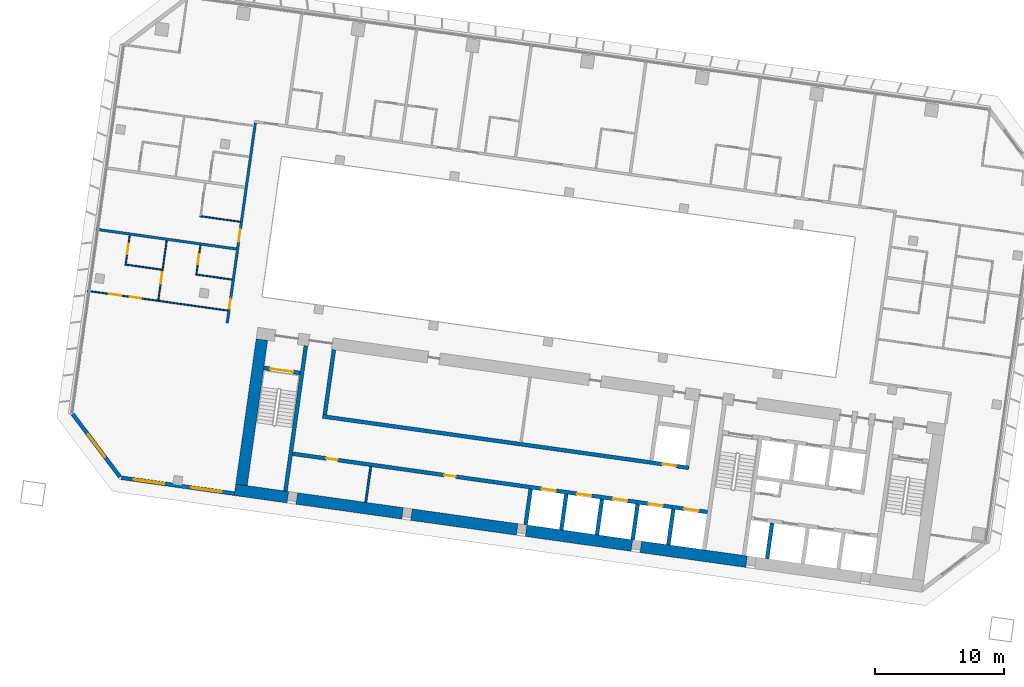
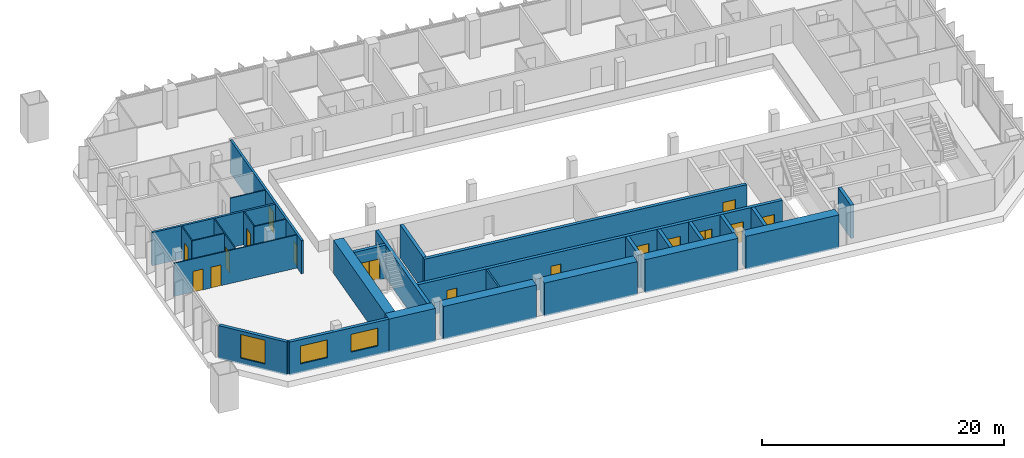
# One storey, part 14 of 25: 29 walls, 16 doors, 3 windows, 19 openings.
"""IFC4 building model written with IfcOpenShell, lengths in metres."""

import ifcopenshell
import ifcopenshell.guid

model = None  # the IFC model being written
_history = None  # IfcOwnerHistory: only IFC2X3 demands one
_inside = {}  # id of a spatial element -> (the spatial element, [elements in it])
_under = {}  # id of a project, library or spatial element -> (it, [spatial elements below it])
_declared = {}  # id of a project -> (the project, [libraries it declares])
_typed = {}  # id of a type object -> (the type object, [elements of that type])
_made_of = {}  # id of a material, layer set ... -> (it, [elements and type objects made of it])


def new_model(schema):
    """Start an empty IFC model of exactly this schema.

    Asked for "IFC4X3", IfcOpenShell would pick the latest addendum, in which some entities
    have other attributes; the version numbers below select the first issue.
    IFC2X3 requires an IfcOwnerHistory on every rooted entity: one is made here for all.
    """
    global model, _history
    if schema == "IFC4X3":
        model = ifcopenshell.file(schema_version=(4, 3, 0, 0))
    else:
        model = ifcopenshell.file(schema=schema)
    _inside.clear()
    _under.clear()
    _declared.clear()
    _typed.clear()
    _made_of.clear()
    _history = None
    if model.schema == "IFC2X3":
        org = make("IfcOrganization", Name="unknown")
        user = make(
            "IfcPersonAndOrganization",
            ThePerson=make("IfcPerson", FamilyName="unknown"),
            TheOrganization=org,
        )
        app = make(
            "IfcApplication",
            ApplicationDeveloper=org,
            Version="unknown",
            ApplicationFullName="unknown",
            ApplicationIdentifier="unknown",
        )
        _history = make(
            "IfcOwnerHistory",
            OwningUser=user,
            OwningApplication=app,
            ChangeAction="ADDED",
            CreationDate=0,
        )
    return model


def make(cls, **values):
    """One entity of the class cls with the attributes given. An attribute that is None is left unset."""
    return model.create_entity(
        cls, **{name: value for name, value in values.items() if value is not None}
    )


def rooted(cls, **values):
    """An entity with a GlobalId (a new one), such as an element, a storey or a relation."""
    return make(cls, GlobalId=ifcopenshell.guid.new(), OwnerHistory=_history, **values)


def si_unit(unit_type, name, prefix=None):
    """IfcSIUnit, for example si_unit("LENGTHUNIT", "METRE", prefix="MILLI")."""
    return make("IfcSIUnit", UnitType=unit_type, Prefix=prefix, Name=name)


def assignment(units):
    """IfcUnitAssignment: the units of a project."""
    return None if units is None else make("IfcUnitAssignment", Units=units)


def point(xyz):
    """IfcCartesianPoint."""
    return None if xyz is None else make("IfcCartesianPoint", Coordinates=xyz)


def direction(xyz):
    """IfcDirection."""
    return None if xyz is None else make("IfcDirection", DirectionRatios=xyz)


def frame(location, z_axis=None, x_axis=None):
    """IfcAxis2Placement3D, a coordinate frame: its origin and axes. An axis left out is left unset."""
    return make(
        "IfcAxis2Placement3D",
        Location=point(location),
        Axis=direction(z_axis),
        RefDirection=direction(x_axis),
    )


def frame_2d(location, x_axis=None):
    """IfcAxis2Placement2D, a coordinate frame in the plane: its origin and x axis."""
    return make(
        "IfcAxis2Placement2D", Location=point(location), RefDirection=direction(x_axis)
    )


def origin():
    """The frame at (0, 0, 0) with its axes left unset."""
    return frame((0.0, 0.0, 0.0))


def place(relative_to, where):
    """IfcLocalPlacement: puts the frame where relative to a parent placement (None: the world)."""
    return make(
        "IfcLocalPlacement", PlacementRelTo=relative_to, RelativePlacement=where
    )


def context(
    kind, dimensions, precision=None, world=None, true_north=None, identifier=None
):
    """IfcGeometricRepresentationContext, for example the 3D "Model" context."""
    return make(
        "IfcGeometricRepresentationContext",
        ContextIdentifier=identifier,
        ContextType=kind,
        CoordinateSpaceDimension=dimensions,
        Precision=precision,
        WorldCoordinateSystem=world,
        TrueNorth=true_north,
    )


def subcontext(parent, identifier, kind, view, scale=None):
    """IfcGeometricRepresentationSubContext, for example "Body" below "Model"."""
    return make(
        "IfcGeometricRepresentationSubContext",
        ContextIdentifier=identifier,
        ContextType=kind,
        ParentContext=parent,
        TargetScale=scale,
        TargetView=view,
    )


def project(units=None, contexts=None):
    """IfcProject with its units and contexts."""
    return rooted(
        "IfcProject",
        Name="project",
        RepresentationContexts=contexts,
        UnitsInContext=assignment(units),
    )


def spatial(cls, under=None, at=None, **own):
    """A site, building, storey or space (cls), placed at a placement, below another one or the project."""
    s = rooted(cls, ObjectPlacement=at, **own)
    if under is not None:
        _under.setdefault(under.id(), (under, []))[1].append(s)
    return s


def profile(cls, at=None, kind="AREA", **sizes):
    """A parametric profile (cls). Its sizes go by their IFC names, for example OverallWidth=200.0."""
    return make(cls, ProfileType=kind, Position=at, **sizes)


def rectangle(**sizes):
    """IfcRectangleProfileDef."""
    return profile("IfcRectangleProfileDef", **sizes)


def extrude(swept, where, along, depth):
    """IfcExtrudedAreaSolid: the profile swept, set in the frame where, extruded along a direction by depth."""
    return make(
        "IfcExtrudedAreaSolid",
        SweptArea=swept,
        Position=where,
        ExtrudedDirection=direction(along),
        Depth=depth,
    )


def shape(context_of_items, identifier, shape_type, items):
    """IfcShapeRepresentation: the items that make up one representation, for example the "Body"."""
    return make(
        "IfcShapeRepresentation",
        ContextOfItems=context_of_items,
        RepresentationIdentifier=identifier,
        RepresentationType=shape_type,
        Items=items,
    )


def material(Name=None, Category=None):
    """IfcMaterial."""
    return make("IfcMaterial", Name=Name, Category=Category)


def layer(
    of_material, thickness, ventilated=None, Name=None, Category=None, Priority=None
):
    """IfcMaterialLayer: one layer of a wall or slab, of a material (None: an air gap)."""
    return make(
        "IfcMaterialLayer",
        Material=of_material,
        LayerThickness=thickness,
        IsVentilated=ventilated,
        Name=Name,
        Category=Category,
        Priority=Priority,
    )


def layer_set(layers, Name=None):
    """IfcMaterialLayerSet."""
    return make("IfcMaterialLayerSet", MaterialLayers=layers, LayerSetName=Name)


def made_of(thing, what):
    """Note that an element or type object is made of a material, layer set ...; save() writes the relation."""
    if what is not None:
        _made_of.setdefault(what.id(), (what, []))[1].append(thing)
    return thing


def type_object(cls, material=None, **own):
    """A type object (cls), such as IfcWallType, which elements share."""
    return made_of(rooted(cls, **own), material)


def element(
    cls,
    number,
    at=None,
    inside=None,
    cuts=None,
    type_object=None,
    material=None,
    context=None,
    identifier="Body",
    shape_type=None,
    held_by="IfcProductDefinitionShape",
    body=None,
    shapes=None,
    **own,
):
    """One element of the class cls, such as IfcWall. Its Tag is "e" and its number.

    at: its placement. inside: the storey or other place that contains it. cuts: it is an
    opening in that element (IfcRelVoidsElement). A single representation is given by context,
    identifier, shape_type and body (its items); several are given by shapes. held_by: the class
    of the entity that holds the representations. save() writes the other relations.
    """
    e = rooted(cls, Tag="e%d" % number, ObjectPlacement=at, **own)
    if body is not None:
        shapes = [shape(context, identifier, shape_type, body)]
    if shapes is not None:
        e.Representation = make(held_by, Representations=shapes)
    if inside is not None:
        _inside.setdefault(inside.id(), (inside, []))[1].append(e)
    if cuts is not None:
        rooted(
            "IfcRelVoidsElement", RelatingBuildingElement=cuts, RelatedOpeningElement=e
        )
    if type_object is not None:
        _typed.setdefault(type_object.id(), (type_object, []))[1].append(e)
    return made_of(e, material)


def fill(opening, filler):
    """IfcRelFillsElement: the door or window that sits in an opening."""
    return rooted(
        "IfcRelFillsElement",
        RelatingOpeningElement=opening,
        RelatedBuildingElement=filler,
    )


def aggregate(whole, parts):
    """IfcRelAggregates: a whole, such as a stair, and the parts it consists of."""
    return rooted("IfcRelAggregates", RelatingObject=whole, RelatedObjects=parts)


def save(model, path):
    """Write the relations noted so far, then the file.

    IfcRelAggregates (storeys below a building ...), IfcRelContainedInSpatialStructure (elements
    in a storey), IfcRelDefinesByType, IfcRelAssociatesMaterial and IfcRelDeclares: one each for
    every whole, place, type object, material and project.
    """
    for whole, parts in _under.values():
        aggregate(whole, parts)
    for where, things in _inside.values():
        rooted(
            "IfcRelContainedInSpatialStructure",
            RelatedElements=things,
            RelatingStructure=where,
        )
    for kind, things in _typed.values():
        rooted("IfcRelDefinesByType", RelatedObjects=things, RelatingType=kind)
    for what, things in _made_of.values():
        rooted("IfcRelAssociatesMaterial", RelatedObjects=things, RelatingMaterial=what)
    for by, libraries in _declared.values():
        rooted("IfcRelDeclares", RelatingContext=by, RelatedDefinitions=libraries)
    model.write(path)


model = new_model("IFC4")

# Units and contexts
model_context = context("Model", 3, precision=1e-05, world=origin(), true_north=direction((0.0, 1.0)))
body_context = subcontext(model_context, "Body", "Model", "MODEL_VIEW")
ifc_project = project(units=[si_unit("LENGTHUNIT", "METRE"), si_unit("AREAUNIT", "SQUARE_METRE"), si_unit("VOLUMEUNIT", "CUBIC_METRE"), si_unit("PLANEANGLEUNIT", "RADIAN"), si_unit("MASSUNIT", "GRAM", prefix="KILO")], contexts=[model_context])

# Site, building, storey
site_placement = place(None, origin())
site = spatial("IfcSite", under=ifc_project, at=site_placement, CompositionType="ELEMENT")
building_placement = place(site_placement, origin())
building = spatial("IfcBuilding", under=site, at=building_placement, Name="Mirante Cascada Hotel Towers", CompositionType="ELEMENT")
storey_placement = place(building_placement, frame((0.0, 0.0, 73.7)))
storey = spatial("IfcBuildingStorey", under=building, at=storey_placement, Name="L15", CompositionType="ELEMENT", Elevation=73.7)

# Wall
ifc_material_1 = material(Name="Fire-rated plasterboard on metal studs")
ifc_layer_1 = layer(ifc_material_1, 0.2)
ifc_layer_set_1 = layer_set([ifc_layer_1], Name="Compartment wall 200 EI 120")
wall_type_1 = type_object("IfcWallType", Name="Compartment wall 200 EI 120", PredefinedType="PARTITIONING", material=ifc_layer_set_1)
wall_1_placement = place(storey_placement, frame((-101.2993, 8.0205, 0.0), z_axis=(0.0, 0.0, 1.0), x_axis=(0.990268, -0.1391733, 0.0)))
element("IfcWall", 1, at=wall_1_placement, inside=storey, type_object=wall_type_1, Name="Wall 1-L15-07", PredefinedType="PARTITIONING", context=body_context, shape_type="SweptSolid", body=[
    extrude(rectangle(XDim=11.0, YDim=0.2, at=frame_2d((5.5, 0.0))), origin(), (0.0, 0.0, 1.0), 3.35),
])

# Wall, openings, doors
wall_2_placement = place(storey_placement, frame((-91.1145, 0.7321, 0.0), z_axis=(0.0, 0.0, 1.0), x_axis=(0.1391721, 0.9902682, 0.0)))
wall_2 = element("IfcWall", 2, at=wall_2_placement, inside=storey, type_object=wall_type_1, Name="Wall 1-L15-52", PredefinedType="PARTITIONING", context=body_context, shape_type="SweptSolid", body=[
    extrude(rectangle(XDim=15.7, YDim=0.2, at=frame_2d((7.85, 0.0))), origin(), (0.0, 0.0, 1.0), 3.35),
])
opening_1_placement = place(wall_2_placement, frame((1.1167, 0.0, 0.0)))
opening_1 = element("IfcOpeningElement", 3, at=opening_1_placement, cuts=wall_2, Name="Opening D1-L15-34", PredefinedType="OPENING", context=body_context, shape_type="SweptSolid", body=[
    extrude(rectangle(XDim=0.8, YDim=2.1, at=frame_2d((0.4, 1.05))), frame((0.0, 0.1, 0.0), z_axis=(0.0, -1.0, 0.0), x_axis=(1.0, 0.0, 0.0)), (0.0, 0.0, 1.0), 0.2),
])
opening_2_placement = place(wall_2_placement, frame((6.3666, 0.0, 0.0)))
opening_2 = element("IfcOpeningElement", 4, at=opening_2_placement, cuts=wall_2, Name="Opening D1-L15-35", PredefinedType="OPENING", context=body_context, shape_type="SweptSolid", body=[
    extrude(rectangle(XDim=1.0, YDim=2.1, at=frame_2d((0.5, 1.05))), frame((0.0, 0.1, 0.0), z_axis=(0.0, -1.0, 0.0), x_axis=(1.0, 0.0, 0.0)), (0.0, 0.0, 1.0), 0.2),
])
ifc_material_2 = material(Name="Fire-rated timber door leaf", Category="wood")
door_type_1 = type_object("IfcDoorType", Name="Bathroom door DG4 800x2100 EI 60", OperationType="SINGLE_SWING_LEFT", PredefinedType="DOOR", material=ifc_material_2)
door_1_placement = place(opening_1_placement, frame((0.8, 0.0, 0.0), z_axis=(0.0, 0.0, 1.0), x_axis=(-1.0, 0.0, 0.0)))
door_1 = element("IfcDoor", 5, at=door_1_placement, inside=storey, type_object=door_type_1, Name="Door D1-L15-34", OperationType="SINGLE_SWING_RIGHT", OverallHeight=2.1, OverallWidth=0.8, PredefinedType="DOOR", context=body_context, shape_type="SweptSolid", body=[
    extrude(rectangle(XDim=0.8, YDim=2.1, at=frame_2d((0.4, 1.05))), frame((0.0, 0.025, 0.0), z_axis=(0.0, -1.0, 0.0), x_axis=(1.0, 0.0, 0.0)), (0.0, 0.0, 1.0), 0.05),
])
fill(opening_1, door_1)
ifc_material_3 = material(Name="Fire-rated timber door leaf", Category="wood")
door_type_2 = type_object("IfcDoorType", Name="Entrance door DG1 1000x2100 EI 60", OperationType="SINGLE_SWING_LEFT", PredefinedType="DOOR", material=ifc_material_3)
door_2_placement = place(opening_2_placement, origin())
door_2 = element("IfcDoor", 6, at=door_2_placement, inside=storey, type_object=door_type_2, Name="Door D1-L15-35", OperationType="SINGLE_SWING_LEFT", OverallHeight=2.1, OverallWidth=1.0, PredefinedType="DOOR", context=body_context, shape_type="SweptSolid", body=[
    extrude(rectangle(XDim=1.0, YDim=2.1, at=frame_2d((0.5, 1.05))), frame((0.0, 0.025, 0.0), z_axis=(0.0, -1.0, 0.0), x_axis=(1.0, 0.0, 0.0)), (0.0, 0.0, 1.0), 0.05),
])
fill(opening_2, door_2)

# Wall
ifc_material_4 = material(Name="Masonry block", Category="masonry")
ifc_layer_2 = layer(ifc_material_4, 0.15)
ifc_layer_set_2 = layer_set([ifc_layer_2], Name="Core room partition 150 block EI 30")
wall_type_2 = type_object("IfcWallType", Name="Core room partition 150 block EI 30", PredefinedType="PARTITIONING", material=ifc_layer_set_2)
wall_3_placement = place(storey_placement, frame((-80.349, -13.2018, 0.0), z_axis=(0.0, 0.0, 1.0), x_axis=(0.139176, 0.9902677, 0.0)))
element("IfcWall", 7, at=wall_3_placement, inside=storey, type_object=wall_type_2, Name="Core wall partition T1 L15 5", PredefinedType="PARTITIONING", context=body_context, shape_type="SweptSolid", body=[
    extrude(rectangle(XDim=2.8001, YDim=0.15, at=frame_2d((1.4, 0.0))), origin(), (0.0, 0.0, 1.0), 3.35),
])

# Wall, openings, doors
ifc_material_5 = material(Name="Plasterboard on metal studs")
ifc_layer_3 = layer(ifc_material_5, 0.1)
ifc_layer_set_3 = layer_set([ifc_layer_3], Name="Partition 100")
wall_type_3 = type_object("IfcWallType", Name="Partition 100", PredefinedType="PARTITIONING", material=ifc_layer_set_3)
wall_4_placement = place(storey_placement, frame((-91.079, 1.7033, 0.0), z_axis=(0.0, 0.0, 1.0), x_axis=(-0.9902682, 0.1391721, 0.0)))
wall_4 = element("IfcWall", 8, at=wall_4_placement, inside=storey, type_object=wall_type_3, Name="Wall 1-L15-02", PredefinedType="PARTITIONING", context=body_context, shape_type="SweptSolid", body=[
    extrude(rectangle(XDim=11.0001, YDim=0.1, at=frame_2d((5.5, 0.0))), origin(), (0.0, 0.0, 1.0), 3.35),
])
opening_3_placement = place(wall_4_placement, frame((6.8, 0.0, 0.0)))
opening_3 = element("IfcOpeningElement", 9, at=opening_3_placement, cuts=wall_4, Name="Opening D1-L15-02", PredefinedType="OPENING", context=body_context, shape_type="SweptSolid", body=[
    extrude(rectangle(XDim=0.9, YDim=2.1, at=frame_2d((0.45, 1.05))), frame((0.0, 0.05, 0.0), z_axis=(0.0, -1.0, 0.0), x_axis=(1.0, 0.0, 0.0)), (0.0, 0.0, 1.0), 0.1),
])
opening_4_placement = place(wall_4_placement, frame((8.375, 0.0, 0.0)))
opening_4 = element("IfcOpeningElement", 10, at=opening_4_placement, cuts=wall_4, Name="Opening D1-L15-03", PredefinedType="OPENING", context=body_context, shape_type="SweptSolid", body=[
    extrude(rectangle(XDim=0.9, YDim=2.1, at=frame_2d((0.45, 1.05))), frame((0.0, 0.05, 0.0), z_axis=(0.0, -1.0, 0.0), x_axis=(1.0, 0.0, 0.0)), (0.0, 0.0, 1.0), 0.1),
])
ifc_material_6 = material(Name="Timber door leaf", Category="wood")
door_type_3 = type_object("IfcDoorType", Name="Room door DG3 900x2100", OperationType="SINGLE_SWING_LEFT", PredefinedType="DOOR", material=ifc_material_6)
door_3_placement = place(opening_3_placement, origin())
door_3 = element("IfcDoor", 11, at=door_3_placement, inside=storey, type_object=door_type_3, Name="Door D1-L15-02", OperationType="SINGLE_SWING_LEFT", OverallHeight=2.1, OverallWidth=0.9, PredefinedType="DOOR", context=body_context, shape_type="SweptSolid", body=[
    extrude(rectangle(XDim=0.9, YDim=2.1, at=frame_2d((0.45, 1.05))), frame((0.0, 0.025, 0.0), z_axis=(0.0, -1.0, 0.0), x_axis=(1.0, 0.0, 0.0)), (0.0, 0.0, 1.0), 0.05),
])
fill(opening_3, door_3)
door_4_placement = place(opening_4_placement, origin())
door_4 = element("IfcDoor", 12, at=door_4_placement, inside=storey, type_object=door_type_3, Name="Door D1-L15-03", OperationType="SINGLE_SWING_LEFT", OverallHeight=2.1, OverallWidth=0.9, PredefinedType="DOOR", context=body_context, shape_type="SweptSolid", body=[
    extrude(rectangle(XDim=0.9, YDim=2.1, at=frame_2d((0.45, 1.05))), frame((0.0, 0.025, 0.0), z_axis=(0.0, -1.0, 0.0), x_axis=(1.0, 0.0, 0.0)), (0.0, 0.0, 1.0), 0.05),
])
fill(opening_4, door_4)

# Walls
wall_5_placement = place(storey_placement, frame((-90.7404, 4.1129, 0.0), z_axis=(0.0, 0.0, 1.0), x_axis=(-0.9902649, 0.1391957, 0.0)))
element("IfcWall", 13, at=wall_5_placement, inside=storey, type_object=wall_type_3, Name="Wall 1-L15-04", PredefinedType="PARTITIONING", context=body_context, shape_type="SweptSolid", body=[
    extrude(rectangle(XDim=2.8499, YDim=0.1, at=frame_2d((1.425, 0.0))), origin(), (0.0, 0.0, 1.0), 3.35),
])
wall_6_placement = place(storey_placement, frame((-99.0586, 5.282, 0.0), z_axis=(0.0, 0.0, 1.0), x_axis=(0.9902683, -0.1391714, 0.0)))
element("IfcWall", 14, at=wall_6_placement, inside=storey, type_object=wall_type_3, Name="Wall 1-L15-05", PredefinedType="PARTITIONING", context=body_context, shape_type="SweptSolid", body=[
    extrude(rectangle(XDim=2.9, YDim=0.1, at=frame_2d((1.45, 0.0))), origin(), (0.0, 0.0, 1.0), 3.35),
])
wall_7_placement = place(storey_placement, frame((-90.1095, 8.6021, 0.0), z_axis=(0.0, 0.0, 1.0), x_axis=(-0.9902676, 0.1391765, 0.0)))
element("IfcWall", 15, at=wall_7_placement, inside=storey, type_object=wall_type_3, Name="Wall 1-L15-08", PredefinedType="PARTITIONING", context=body_context, shape_type="SweptSolid", body=[
    extrude(rectangle(XDim=3.15, YDim=0.1, at=frame_2d((1.575, 0.0))), origin(), (0.0, 0.0, 1.0), 3.35),
])

# Wall, opening, door
wall_8_placement = place(storey_placement, frame((-93.193, 6.7802, 0.0), z_axis=(0.0, 0.0, 1.0), x_axis=(-0.1391997, -0.9902643, 0.0)))
wall_8 = element("IfcWall", 16, at=wall_8_placement, inside=storey, type_object=wall_type_3, Name="Wall 1-L15-53", PredefinedType="PARTITIONING", context=body_context, shape_type="SweptSolid", body=[
    extrude(rectangle(XDim=2.25, YDim=0.1, at=frame_2d((1.125, 0.0))), origin(), (0.0, 0.0, 1.0), 3.35),
])
opening_5_placement = place(wall_8_placement, frame((0.7, 0.0, 0.0)))
opening_5 = element("IfcOpeningElement", 17, at=opening_5_placement, cuts=wall_8, Name="Opening D1-L15-36", PredefinedType="OPENING", context=body_context, shape_type="SweptSolid", body=[
    extrude(rectangle(XDim=0.8, YDim=2.1, at=frame_2d((0.4, 1.05))), frame((0.0, 0.05, 0.0), z_axis=(0.0, -1.0, 0.0), x_axis=(1.0, 0.0, 0.0)), (0.0, 0.0, 1.0), 0.1),
])
ifc_material_7 = material(Name="Timber door leaf", Category="wood")
door_type_4 = type_object("IfcDoorType", Name="Bathroom door DG4 800x2100", OperationType="SINGLE_SWING_LEFT", PredefinedType="DOOR", material=ifc_material_7)
door_5_placement = place(opening_5_placement, origin())
door_5 = element("IfcDoor", 18, at=door_5_placement, inside=storey, type_object=door_type_4, Name="Door D1-L15-36", OperationType="SINGLE_SWING_LEFT", OverallHeight=2.1, OverallWidth=0.8, PredefinedType="DOOR", context=body_context, shape_type="SweptSolid", body=[
    extrude(rectangle(XDim=0.8, YDim=2.1, at=frame_2d((0.4, 1.05))), frame((0.0, 0.025, 0.0), z_axis=(0.0, -1.0, 0.0), x_axis=(1.0, 0.0, 0.0)), (0.0, 0.0, 1.0), 0.05),
])
fill(opening_5, door_5)

wall_9_placement = place(storey_placement, frame((-96.469, 2.5113, 0.0), z_axis=(0.0, 0.0, 1.0), x_axis=(0.139176, 0.9902677, 0.0)))
wall_9 = element("IfcWall", 19, at=wall_9_placement, inside=storey, type_object=wall_type_3, Name="Wall 1-L15-56", PredefinedType="PARTITIONING", context=body_context, shape_type="SweptSolid", body=[
    extrude(rectangle(XDim=4.6833, YDim=0.1, at=frame_2d((2.3416, 0.0))), origin(), (0.0, 0.0, 1.0), 3.35),
])
opening_6_placement = place(wall_9_placement, frame((1.3, 0.0, 0.0)))
opening_6 = element("IfcOpeningElement", 20, at=opening_6_placement, cuts=wall_9, Name="Opening D1-L15-39", PredefinedType="OPENING", context=body_context, shape_type="SweptSolid", body=[
    extrude(rectangle(XDim=0.9, YDim=2.1, at=frame_2d((0.45, 1.05))), frame((0.0, 0.05, 0.0), z_axis=(0.0, -1.0, 0.0), x_axis=(1.0, 0.0, 0.0)), (0.0, 0.0, 1.0), 0.1),
])
door_6_placement = place(opening_6_placement, frame((0.9, 0.0, 0.0), z_axis=(0.0, 0.0, 1.0), x_axis=(-1.0, 0.0, 0.0)))
door_6 = element("IfcDoor", 21, at=door_6_placement, inside=storey, type_object=door_type_3, Name="Door D1-L15-39", OperationType="SINGLE_SWING_RIGHT", OverallHeight=2.1, OverallWidth=0.9, PredefinedType="DOOR", context=body_context, shape_type="SweptSolid", body=[
    extrude(rectangle(XDim=0.9, YDim=2.1, at=frame_2d((0.45, 1.05))), frame((0.0, 0.025, 0.0), z_axis=(0.0, -1.0, 0.0), x_axis=(1.0, 0.0, 0.0)), (0.0, 0.0, 1.0), 0.05),
])
fill(opening_6, door_6)

wall_10_placement = place(storey_placement, frame((-98.689, 7.5526, 0.0), z_axis=(0.0, 0.0, 1.0), x_axis=(-0.1391561, -0.9902705, 0.0)))
wall_10 = element("IfcWall", 22, at=wall_10_placement, inside=storey, type_object=wall_type_3, Name="Wall 1-L15-59", PredefinedType="PARTITIONING", context=body_context, shape_type="SweptSolid", body=[
    extrude(rectangle(XDim=2.25, YDim=0.1, at=frame_2d((1.125, 0.0))), origin(), (0.0, 0.0, 1.0), 3.35),
])
opening_7_placement = place(wall_10_placement, frame((0.7, 0.0, 0.0)))
opening_7 = element("IfcOpeningElement", 23, at=opening_7_placement, cuts=wall_10, Name="Opening D1-L15-41", PredefinedType="OPENING", context=body_context, shape_type="SweptSolid", body=[
    extrude(rectangle(XDim=0.8, YDim=2.1, at=frame_2d((0.4, 1.05))), frame((0.0, 0.05, 0.0), z_axis=(0.0, -1.0, 0.0), x_axis=(1.0, 0.0, 0.0)), (0.0, 0.0, 1.0), 0.1),
])
door_7_placement = place(opening_7_placement, origin())
door_7 = element("IfcDoor", 24, at=door_7_placement, inside=storey, type_object=door_type_4, Name="Door D1-L15-41", OperationType="SINGLE_SWING_LEFT", OverallHeight=2.1, OverallWidth=0.8, PredefinedType="DOOR", context=body_context, shape_type="SweptSolid", body=[
    extrude(rectangle(XDim=0.8, YDim=2.1, at=frame_2d((0.4, 1.05))), frame((0.0, 0.025, 0.0), z_axis=(0.0, -1.0, 0.0), x_axis=(1.0, 0.0, 0.0)), (0.0, 0.0, 1.0), 0.05),
])
fill(opening_7, door_7)

# Wall, openings, windows
ifc_material_8 = material(Name="Precast concrete C40/50", Category="concrete")
ifc_layer_4 = layer(ifc_material_8, 0.3)
ifc_layer_set_4 = layer_set([ifc_layer_4], Name="Precast concrete C40/50 cladding wall 300")
wall_type_4 = type_object("IfcWallType", Name="Precast concrete C40/50 cladding wall 300", PredefinedType="STANDARD", material=ifc_layer_set_4)
wall_11_placement = place(storey_placement, frame((-90.5541, -12.5249, 0.0), z_axis=(0.0, 0.0, 1.0), x_axis=(-0.9902676, 0.1391765, 0.0)))
wall_11 = element("IfcWall", 25, at=wall_11_placement, inside=storey, type_object=wall_type_4, Name="Rear cladding wall T1 L15 1", PredefinedType="STANDARD", context=body_context, shape_type="SweptSolid", body=[
    extrude(rectangle(XDim=8.8758, YDim=0.3, at=frame_2d((4.4379, 0.0))), origin(), (0.0, 0.0, 1.0), 3.35),
])
opening_8_placement = place(wall_11_placement, frame((1.0012, 0.0, 0.9)))
opening_8 = element("IfcOpeningElement", 26, at=opening_8_placement, cuts=wall_11, Name="Opening W1-15-01", PredefinedType="OPENING", context=body_context, shape_type="SweptSolid", body=[
    extrude(rectangle(XDim=2.4, YDim=1.8, at=frame_2d((1.2, 0.9))), frame((0.0, 0.15, 0.0), z_axis=(0.0, -1.0, 0.0), x_axis=(1.0, 0.0, 0.0)), (0.0, 0.0, 1.0), 0.3),
])
opening_9_placement = place(wall_11_placement, frame((5.4923, 0.0, 0.9)))
opening_9 = element("IfcOpeningElement", 27, at=opening_9_placement, cuts=wall_11, Name="Opening W1-15-02", PredefinedType="OPENING", context=body_context, shape_type="SweptSolid", body=[
    extrude(rectangle(XDim=2.4, YDim=1.8, at=frame_2d((1.2, 0.9))), frame((0.0, 0.15, 0.0), z_axis=(0.0, -1.0, 0.0), x_axis=(1.0, 0.0, 0.0)), (0.0, 0.0, 1.0), 0.3),
])
ifc_material_9 = material(Name="Aluminium frame with clear double glazing", Category="aluminium")
window_type_1 = type_object("IfcWindowType", Name="Punched window 2400x1800", PartitioningType="DOUBLE_PANEL_VERTICAL", PredefinedType="WINDOW", material=ifc_material_9)
window_1_placement = place(opening_8_placement, origin())
window_1 = element("IfcWindow", 28, at=window_1_placement, inside=storey, type_object=window_type_1, Name="Window W1-15-01", OverallHeight=1.8, OverallWidth=2.4, PartitioningType="SINGLE_PANEL", PredefinedType="WINDOW", context=body_context, shape_type="SweptSolid", body=[
    extrude(rectangle(XDim=2.4, YDim=1.8, at=frame_2d((1.2, 0.9))), frame((0.0, 0.03, 0.0), z_axis=(0.0, -1.0, 0.0), x_axis=(1.0, 0.0, 0.0)), (0.0, 0.0, 1.0), 0.06),
])
fill(opening_8, window_1)
window_2_placement = place(opening_9_placement, origin())
window_2 = element("IfcWindow", 29, at=window_2_placement, inside=storey, type_object=window_type_1, Name="Window W1-15-02", OverallHeight=1.8, OverallWidth=2.4, PartitioningType="SINGLE_PANEL", PredefinedType="WINDOW", context=body_context, shape_type="SweptSolid", body=[
    extrude(rectangle(XDim=2.4, YDim=1.8, at=frame_2d((1.2, 0.9))), frame((0.0, 0.03, 0.0), z_axis=(0.0, -1.0, 0.0), x_axis=(1.0, 0.0, 0.0)), (0.0, 0.0, 1.0), 0.06),
])
fill(opening_9, window_2)

# Wall, opening, window
wall_12_placement = place(storey_placement, frame((-99.4424, -11.2313, 0.0), z_axis=(0.0, 0.0, 1.0), x_axis=(-0.6018194, 0.7986322, 0.0)))
wall_12 = element("IfcWall", 30, at=wall_12_placement, inside=storey, type_object=wall_type_4, Name="Corner cladding wall T1 L15 rear outer", PredefinedType="STANDARD", context=body_context, shape_type="SweptSolid", body=[
    extrude(rectangle(XDim=6.1155, YDim=0.3, at=frame_2d((3.0578, 0.0))), origin(), (0.0, 0.0, 1.0), 3.35),
])
opening_10_placement = place(wall_12_placement, frame((1.9576, 0.0, 0.6)))
opening_10 = element("IfcOpeningElement", 31, at=opening_10_placement, cuts=wall_12, Name="Opening W1-15-03", PredefinedType="OPENING", context=body_context, shape_type="SweptSolid", body=[
    extrude(rectangle(XDim=2.2, YDim=2.4, at=frame_2d((1.1, 1.2))), frame((0.0, 0.15, 0.0), z_axis=(0.0, -1.0, 0.0), x_axis=(1.0, 0.0, 0.0)), (0.0, 0.0, 1.0), 0.3),
])
ifc_material_10 = material(Name="Aluminium frame with clear double glazing", Category="aluminium")
window_type_2 = type_object("IfcWindowType", Name="Corner suite window 2200x2400", PartitioningType="DOUBLE_PANEL_VERTICAL", PredefinedType="WINDOW", material=ifc_material_10)
window_3_placement = place(opening_10_placement, origin())
window_3 = element("IfcWindow", 32, at=window_3_placement, inside=storey, type_object=window_type_2, Name="Window W1-15-03", OverallHeight=2.4, OverallWidth=2.2, PartitioningType="SINGLE_PANEL", PredefinedType="WINDOW", context=body_context, shape_type="SweptSolid", body=[
    extrude(rectangle(XDim=2.2, YDim=2.4, at=frame_2d((1.1, 1.2))), frame((0.0, 0.03, 0.0), z_axis=(0.0, -1.0, 0.0), x_axis=(1.0, 0.0, 0.0)), (0.0, 0.0, 1.0), 0.06),
])
fill(opening_10, window_3)

# Wall
ifc_material_11 = material(Name="Concrete C50/60", Category="concrete")
ifc_layer_5 = layer(ifc_material_11, 0.3)
ifc_layer_set_5 = layer_set([ifc_layer_5], Name="RC core wall 300 C50/60")
wall_type_5 = type_object("IfcWallType", Name="RC core wall 300 C50/60", PredefinedType="SHEAR", material=ifc_layer_set_5)
wall_13_placement = place(storey_placement, frame((-86.5877, -12.325, 0.0), z_axis=(0.0, 0.0, 1.0), x_axis=(0.1391749, 0.9902678, 0.0)))
element("IfcWall", 33, at=wall_13_placement, inside=storey, type_object=wall_type_5, Name="Core wall T1:L15:8", PredefinedType="SHEAR", context=body_context, shape_type="SweptSolid", body=[
    extrude(rectangle(XDim=11.4, YDim=0.3, at=frame_2d((5.7, 0.0))), origin(), (0.0, 0.0, 1.0), 3.35),
])

# Wall, opening, door
wall_14_placement = place(storey_placement, frame((-85.4489, -3.1441, 0.0), z_axis=(0.0, 0.0, 1.0), x_axis=(-0.9902697, 0.1391613, 0.0)))
wall_14 = element("IfcWall", 34, at=wall_14_placement, inside=storey, type_object=wall_type_5, Name="Core wall T1:L15:11", PredefinedType="SHEAR", context=body_context, shape_type="SweptSolid", body=[
    extrude(rectangle(XDim=2.8499, YDim=0.3, at=frame_2d((1.425, 0.0))), origin(), (0.0, 0.0, 1.0), 3.35),
])
opening_11_placement = place(wall_14_placement, frame((0.525, 0.0, 0.0)))
opening_11 = element("IfcOpeningElement", 35, at=opening_11_placement, cuts=wall_14, Name="Opening D1-15-C17", PredefinedType="OPENING", context=body_context, shape_type="SweptSolid", body=[
    extrude(rectangle(XDim=1.8, YDim=2.1, at=frame_2d((0.9, 1.05))), frame((0.0, 0.15, 0.0), z_axis=(0.0, -1.0, 0.0), x_axis=(1.0, 0.0, 0.0)), (0.0, 0.0, 1.0), 0.3),
])
ifc_material_12 = material(Name="Hollow metal fire door leaf")
door_type_5 = type_object("IfcDoorType", Name="Double fire door 1800x2100 FD60", OperationType="DOUBLE_DOOR_SINGLE_SWING", PredefinedType="DOOR", material=ifc_material_12)
door_8_placement = place(opening_11_placement, origin())
door_8 = element("IfcDoor", 36, at=door_8_placement, inside=storey, type_object=door_type_5, Name="Stair door T1 L15 17", OperationType="DOUBLE_DOOR_SINGLE_SWING", OverallHeight=2.1, OverallWidth=1.8, PredefinedType="DOOR", context=body_context, shape_type="SweptSolid", body=[
    extrude(rectangle(XDim=0.895, YDim=2.1, at=frame_2d((0.4475, 1.05))), frame((0.0, 0.025, 0.0), z_axis=(0.0, -1.0, 0.0), x_axis=(1.0, 0.0, 0.0)), (0.0, 0.0, 1.0), 0.05),
    extrude(rectangle(XDim=0.895, YDim=2.1, at=frame_2d((1.3525, 1.05))), frame((0.0, 0.025, 0.0), z_axis=(0.0, -1.0, 0.0), x_axis=(1.0, 0.0, 0.0)), (0.0, 0.0, 1.0), 0.05),
])
fill(opening_11, door_8)

# Wall
wall_15_placement = place(storey_placement, frame((-49.1555, -17.5857, 0.0), z_axis=(0.0, 0.0, 1.0), x_axis=(0.1391459, 0.9902719, 0.0)))
element("IfcWall", 37, at=wall_15_placement, inside=storey, type_object=wall_type_5, Name="Core wall T1:L15:17", PredefinedType="SHEAR", context=body_context, shape_type="SweptSolid", body=[
    extrude(rectangle(XDim=2.7999, YDim=0.3, at=frame_2d((1.4, 0.0))), origin(), (0.0, 0.0, 1.0), 3.35),
])

# Wall, openings, doors
wall_16_placement = place(storey_placement, frame((-53.7953, -13.9547, 0.0), z_axis=(0.0, 0.0, 1.0), x_axis=(-0.990268, 0.1391733, 0.0)))
wall_16 = element("IfcWall", 38, at=wall_16_placement, inside=storey, type_object=wall_type_5, Name="Core wall T1:L15:25", PredefinedType="SHEAR", context=body_context, shape_type="SweptSolid", body=[
    extrude(rectangle(XDim=32.5501, YDim=0.3, at=frame_2d((16.275, 0.0))), origin(), (0.0, 0.0, 1.0), 3.35),
])
opening_12_placement = place(wall_16_placement, frame((0.7, 0.0, 0.0)))
opening_12 = element("IfcOpeningElement", 39, at=opening_12_placement, cuts=wall_16, Name="Opening LD", PredefinedType="OPENING", context=body_context, shape_type="SweptSolid", body=[
    extrude(rectangle(XDim=1.1, YDim=2.1, at=frame_2d((0.55, 1.05))), frame((0.0, 0.15, 0.0), z_axis=(0.0, -1.0, 0.0), x_axis=(1.0, 0.0, 0.0)), (0.0, 0.0, 1.0), 0.3),
])
opening_13_placement = place(wall_16_placement, frame((3.5, 0.0, 0.0)))
opening_13 = element("IfcOpeningElement", 40, at=opening_13_placement, cuts=wall_16, Name="Opening LD", PredefinedType="OPENING", context=body_context, shape_type="SweptSolid", body=[
    extrude(rectangle(XDim=1.1, YDim=2.1, at=frame_2d((0.55, 1.05))), frame((0.0, 0.15, 0.0), z_axis=(0.0, -1.0, 0.0), x_axis=(1.0, 0.0, 0.0)), (0.0, 0.0, 1.0), 0.3),
])
opening_14_placement = place(wall_16_placement, frame((6.3, 0.0, 0.0)))
opening_14 = element("IfcOpeningElement", 41, at=opening_14_placement, cuts=wall_16, Name="Opening LD", PredefinedType="OPENING", context=body_context, shape_type="SweptSolid", body=[
    extrude(rectangle(XDim=1.1, YDim=2.1, at=frame_2d((0.55, 1.05))), frame((0.0, 0.15, 0.0), z_axis=(0.0, -1.0, 0.0), x_axis=(1.0, 0.0, 0.0)), (0.0, 0.0, 1.0), 0.3),
])
opening_15_placement = place(wall_16_placement, frame((9.1, 0.0, 0.0)))
opening_15 = element("IfcOpeningElement", 42, at=opening_15_placement, cuts=wall_16, Name="Opening LD", PredefinedType="OPENING", context=body_context, shape_type="SweptSolid", body=[
    extrude(rectangle(XDim=1.1, YDim=2.1, at=frame_2d((0.55, 1.05))), frame((0.0, 0.15, 0.0), z_axis=(0.0, -1.0, 0.0), x_axis=(1.0, 0.0, 0.0)), (0.0, 0.0, 1.0), 0.3),
])
opening_16_placement = place(wall_16_placement, frame((11.9, 0.0, 0.0)))
opening_16 = element("IfcOpeningElement", 43, at=opening_16_placement, cuts=wall_16, Name="Opening LD", PredefinedType="OPENING", context=body_context, shape_type="SweptSolid", body=[
    extrude(rectangle(XDim=1.1, YDim=2.1, at=frame_2d((0.55, 1.05))), frame((0.0, 0.15, 0.0), z_axis=(0.0, -1.0, 0.0), x_axis=(1.0, 0.0, 0.0)), (0.0, 0.0, 1.0), 0.3),
])
opening_17_placement = place(wall_16_placement, frame((19.75, 0.0, 0.0)))
opening_17 = element("IfcOpeningElement", 44, at=opening_17_placement, cuts=wall_16, Name="Opening D1-15-C26", PredefinedType="OPENING", context=body_context, shape_type="SweptSolid", body=[
    extrude(rectangle(XDim=0.9, YDim=2.1, at=frame_2d((0.45, 1.05))), frame((0.0, 0.15, 0.0), z_axis=(0.0, -1.0, 0.0), x_axis=(1.0, 0.0, 0.0)), (0.0, 0.0, 1.0), 0.3),
])
opening_18_placement = place(wall_16_placement, frame((29.025, 0.0, 0.0)))
opening_18 = element("IfcOpeningElement", 45, at=opening_18_placement, cuts=wall_16, Name="Opening D1-15-C27", PredefinedType="OPENING", context=body_context, shape_type="SweptSolid", body=[
    extrude(rectangle(XDim=0.9, YDim=2.1, at=frame_2d((0.45, 1.05))), frame((0.0, 0.15, 0.0), z_axis=(0.0, -1.0, 0.0), x_axis=(1.0, 0.0, 0.0)), (0.0, 0.0, 1.0), 0.3),
])
ifc_material_13 = material(Name="Hollow metal fire door leaf")
door_type_6 = type_object("IfcDoorType", Name="Fire door 900x2100 FD60", OperationType="NOTDEFINED", PredefinedType="DOOR", material=ifc_material_13)
door_9_placement = place(opening_17_placement, origin())
door_9 = element("IfcDoor", 46, at=door_9_placement, inside=storey, type_object=door_type_6, Name="Room door T1 L15 26", OperationType="SINGLE_SWING_LEFT", OverallHeight=2.1, OverallWidth=0.9, PredefinedType="DOOR", context=body_context, shape_type="SweptSolid", body=[
    extrude(rectangle(XDim=0.9, YDim=2.1, at=frame_2d((0.45, 1.05))), frame((0.0, 0.025, 0.0), z_axis=(0.0, -1.0, 0.0), x_axis=(1.0, 0.0, 0.0)), (0.0, 0.0, 1.0), 0.05),
])
fill(opening_17, door_9)
door_10_placement = place(opening_18_placement, origin())
door_10 = element("IfcDoor", 47, at=door_10_placement, inside=storey, type_object=door_type_6, Name="Room door T1 L15 27", OperationType="SINGLE_SWING_LEFT", OverallHeight=2.1, OverallWidth=0.9, PredefinedType="DOOR", context=body_context, shape_type="SweptSolid", body=[
    extrude(rectangle(XDim=0.9, YDim=2.1, at=frame_2d((0.45, 1.05))), frame((0.0, 0.025, 0.0), z_axis=(0.0, -1.0, 0.0), x_axis=(1.0, 0.0, 0.0)), (0.0, 0.0, 1.0), 0.05),
])
fill(opening_18, door_10)
ifc_material_14 = material(Name="Stainless steel", Category="steel")
door_type_7 = type_object("IfcDoorType", Name="Lift landing door 1100x2100 EI 120", OperationType="DOUBLE_DOOR_SLIDING", PredefinedType="DOOR", material=ifc_material_14)
door_11_placement = place(opening_12_placement, origin())
door_11 = element("IfcDoor", 48, at=door_11_placement, inside=storey, type_object=door_type_7, Name="Lift landing door LR1-1 L15", OperationType="DOUBLE_DOOR_SLIDING", OverallHeight=2.1, OverallWidth=1.1, PredefinedType="DOOR", context=body_context, shape_type="SweptSolid", body=[
    extrude(rectangle(XDim=0.545, YDim=2.1, at=frame_2d((0.2725, 1.05))), frame((0.0, 0.025, 0.0), z_axis=(0.0, -1.0, 0.0), x_axis=(1.0, 0.0, 0.0)), (0.0, 0.0, 1.0), 0.05),
    extrude(rectangle(XDim=0.545, YDim=2.1, at=frame_2d((0.8275, 1.05))), frame((0.0, 0.025, 0.0), z_axis=(0.0, -1.0, 0.0), x_axis=(1.0, 0.0, 0.0)), (0.0, 0.0, 1.0), 0.05),
])
fill(opening_12, door_11)
door_12_placement = place(opening_13_placement, origin())
door_12 = element("IfcDoor", 49, at=door_12_placement, inside=storey, type_object=door_type_7, Name="Lift landing door LR1-2 L15", OperationType="DOUBLE_DOOR_SLIDING", OverallHeight=2.1, OverallWidth=1.1, PredefinedType="DOOR", context=body_context, shape_type="SweptSolid", body=[
    extrude(rectangle(XDim=0.545, YDim=2.1, at=frame_2d((0.2725, 1.05))), frame((0.0, 0.025, 0.0), z_axis=(0.0, -1.0, 0.0), x_axis=(1.0, 0.0, 0.0)), (0.0, 0.0, 1.0), 0.05),
    extrude(rectangle(XDim=0.545, YDim=2.1, at=frame_2d((0.8275, 1.05))), frame((0.0, 0.025, 0.0), z_axis=(0.0, -1.0, 0.0), x_axis=(1.0, 0.0, 0.0)), (0.0, 0.0, 1.0), 0.05),
])
fill(opening_13, door_12)
door_13_placement = place(opening_14_placement, origin())
door_13 = element("IfcDoor", 50, at=door_13_placement, inside=storey, type_object=door_type_7, Name="Lift landing door SV1-1 L15", OperationType="DOUBLE_DOOR_SLIDING", OverallHeight=2.1, OverallWidth=1.1, PredefinedType="DOOR", context=body_context, shape_type="SweptSolid", body=[
    extrude(rectangle(XDim=0.545, YDim=2.1, at=frame_2d((0.2725, 1.05))), frame((0.0, 0.025, 0.0), z_axis=(0.0, -1.0, 0.0), x_axis=(1.0, 0.0, 0.0)), (0.0, 0.0, 1.0), 0.05),
    extrude(rectangle(XDim=0.545, YDim=2.1, at=frame_2d((0.8275, 1.05))), frame((0.0, 0.025, 0.0), z_axis=(0.0, -1.0, 0.0), x_axis=(1.0, 0.0, 0.0)), (0.0, 0.0, 1.0), 0.05),
])
fill(opening_14, door_13)
door_14_placement = place(opening_15_placement, origin())
door_14 = element("IfcDoor", 51, at=door_14_placement, inside=storey, type_object=door_type_7, Name="Lift landing door SV1-2 L15", OperationType="DOUBLE_DOOR_SLIDING", OverallHeight=2.1, OverallWidth=1.1, PredefinedType="DOOR", context=body_context, shape_type="SweptSolid", body=[
    extrude(rectangle(XDim=0.545, YDim=2.1, at=frame_2d((0.2725, 1.05))), frame((0.0, 0.025, 0.0), z_axis=(0.0, -1.0, 0.0), x_axis=(1.0, 0.0, 0.0)), (0.0, 0.0, 1.0), 0.05),
    extrude(rectangle(XDim=0.545, YDim=2.1, at=frame_2d((0.8275, 1.05))), frame((0.0, 0.025, 0.0), z_axis=(0.0, -1.0, 0.0), x_axis=(1.0, 0.0, 0.0)), (0.0, 0.0, 1.0), 0.05),
])
fill(opening_15, door_14)
door_15_placement = place(opening_16_placement, origin())
door_15 = element("IfcDoor", 52, at=door_15_placement, inside=storey, type_object=door_type_7, Name="Lift landing door SV1-3 L15", OperationType="DOUBLE_DOOR_SLIDING", OverallHeight=2.1, OverallWidth=1.1, PredefinedType="DOOR", context=body_context, shape_type="SweptSolid", body=[
    extrude(rectangle(XDim=0.545, YDim=2.1, at=frame_2d((0.2725, 1.05))), frame((0.0, 0.025, 0.0), z_axis=(0.0, -1.0, 0.0), x_axis=(1.0, 0.0, 0.0)), (0.0, 0.0, 1.0), 0.05),
    extrude(rectangle(XDim=0.545, YDim=2.1, at=frame_2d((0.8275, 1.05))), frame((0.0, 0.025, 0.0), z_axis=(0.0, -1.0, 0.0), x_axis=(1.0, 0.0, 0.0)), (0.0, 0.0, 1.0), 0.05),
])
fill(opening_16, door_15)

# Walls
for number, where, z_axis, x_axis, name in (
    (53, (-56.8301, -16.5072, 0.0), (0.0, 0.0, 1.0), (0.139176, 0.9902677, 0.0), "Core wall T1:L15:26"),
    (54, (-59.6029, -16.1175, 0.0), (0.0, 0.0, 1.0), (0.139176, 0.9902677, 0.0), "Core wall T1:L15:27"),
    (55, (-62.3756, -15.7278, 0.0), (0.0, 0.0, 1.0), (0.139176, 0.9902677, 0.0), "Core wall T1:L15:28"),
    (56, (-65.1484, -15.3381, 0.0), (0.0, 0.0, 1.0), (0.139176, 0.9902677, 0.0), "Core wall T1:L15:29"),
):
    element("IfcWall", number, at=place(storey_placement, frame(where, z_axis=z_axis, x_axis=x_axis)), inside=storey, type_object=wall_type_5, Name=name, PredefinedType="SHEAR", context=body_context, shape_type="SweptSolid", body=[
        extrude(rectangle(XDim=2.8001, YDim=0.3, at=frame_2d((1.4, 0.0))), origin(), (0.0, 0.0, 1.0), 3.35),
    ])
wall_17_placement = place(storey_placement, frame((-67.9211, -14.9484, 0.0), z_axis=(0.0, 0.0, 1.0), x_axis=(0.139181, 0.990267, 0.0)))
element("IfcWall", 57, at=wall_17_placement, inside=storey, type_object=wall_type_5, Name="Core wall T1:L15:30", PredefinedType="SHEAR", context=body_context, shape_type="SweptSolid", body=[
    extrude(rectangle(XDim=2.8, YDim=0.3, at=frame_2d((1.4, 0.0))), origin(), (0.0, 0.0, 1.0), 3.35),
])

# Wall, opening, door
wall_18_placement = place(storey_placement, frame((-55.2315, -10.5214, 0.0), z_axis=(0.0, 0.0, 1.0), x_axis=(-0.9902682, 0.1391722, 0.0)))
wall_18 = element("IfcWall", 58, at=wall_18_placement, inside=storey, type_object=wall_type_5, Name="Core wall T1:L15:32", PredefinedType="SHEAR", context=body_context, shape_type="SweptSolid", body=[
    extrude(rectangle(XDim=28.75, YDim=0.3, at=frame_2d((14.375, 0.0))), origin(), (0.0, 0.0, 1.0), 3.35),
])
opening_19_placement = place(wall_18_placement, frame((1.0, 0.0, 0.0)))
opening_19 = element("IfcOpeningElement", 59, at=opening_19_placement, cuts=wall_18, Name="Opening LD", PredefinedType="OPENING", context=body_context, shape_type="SweptSolid", body=[
    extrude(rectangle(XDim=1.1, YDim=2.1, at=frame_2d((0.55, 1.05))), frame((0.0, 0.15, 0.0), z_axis=(0.0, -1.0, 0.0), x_axis=(1.0, 0.0, 0.0)), (0.0, 0.0, 1.0), 0.3),
])
door_16_placement = place(opening_19_placement, origin())
door_16 = element("IfcDoor", 60, at=door_16_placement, inside=storey, type_object=door_type_7, Name="Lift landing door LR1-3 L15", OperationType="DOUBLE_DOOR_SLIDING", OverallHeight=2.1, OverallWidth=1.1, PredefinedType="DOOR", context=body_context, shape_type="SweptSolid", body=[
    extrude(rectangle(XDim=0.545, YDim=2.1, at=frame_2d((0.2725, 1.05))), frame((0.0, 0.025, 0.0), z_axis=(0.0, -1.0, 0.0), x_axis=(1.0, 0.0, 0.0)), (0.0, 0.0, 1.0), 0.05),
    extrude(rectangle(XDim=0.545, YDim=2.1, at=frame_2d((0.8275, 1.05))), frame((0.0, 0.025, 0.0), z_axis=(0.0, -1.0, 0.0), x_axis=(1.0, 0.0, 0.0)), (0.0, 0.0, 1.0), 0.05),
])
fill(opening_19, door_16)

# Walls
wall_19_placement = place(storey_placement, frame((-83.5323, -6.3925, 0.0), z_axis=(0.0, 0.0, 1.0), x_axis=(0.1391755, 0.9902677, 0.0)))
element("IfcWall", 61, at=wall_19_placement, inside=storey, type_object=wall_type_5, Name="Core wall T1:L15:34", PredefinedType="SHEAR", context=body_context, shape_type="SweptSolid", body=[
    extrude(rectangle(XDim=5.1, YDim=0.3, at=frame_2d((2.55, 0.0))), origin(), (0.0, 0.0, 1.0), 3.35),
])
ifc_material_15 = material(Name="Concrete C50/60", Category="concrete")
ifc_layer_6 = layer(ifc_material_15, 0.9)
ifc_layer_set_6 = layer_set([ifc_layer_6], Name="RC core wall 900 C50/60")
wall_type_6 = type_object("IfcWallType", Name="RC core wall 900 C50/60", PredefinedType="SHEAR", material=ifc_layer_set_6)
for number, where, z_axis, x_axis, name in (
    (62, (-50.7531, -17.8156, 0.0), (0.0, 0.0, 1.0), (-0.9902686, 0.1391692, 0.0), "Core wall T1:L15:1.3"),
    (63, (-59.6655, -16.5631, 0.0), (0.0, 0.0, 1.0), (-0.9902686, 0.1391692, 0.0), "Core wall T1:L15:1.4"),
    (64, (-68.5779, -15.3105, 0.0), (0.0, 0.0, 1.0), (-0.9902686, 0.1391692, 0.0), "Core wall T1:L15:1.5"),
    (65, (-77.4903, -14.058, 0.0), (0.0, 0.0, 1.0), (-0.990267, 0.139181, 0.0), "Core wall T1:L15:1.6"),
):
    element("IfcWall", number, at=place(storey_placement, frame(where, z_axis=z_axis, x_axis=x_axis)), inside=storey, type_object=wall_type_6, Name=name, PredefinedType="SHEAR", context=body_context, shape_type="SweptSolid", body=[
        extrude(rectangle(XDim=8.3, YDim=0.9, at=frame_2d((4.15, 0.0))), origin(), (0.0, 0.0, 1.0), 3.35),
    ])
wall_20_placement = place(storey_placement, frame((-86.4027, -12.8054, 0.0), z_axis=(0.0, 0.0, 1.0), x_axis=(-0.990267, 0.139181, 0.0)))
element("IfcWall", 66, at=wall_20_placement, inside=storey, type_object=wall_type_6, Name="Core wall T1:L15:1.7", PredefinedType="SHEAR", context=body_context, shape_type="SweptSolid", body=[
    extrude(rectangle(XDim=4.15, YDim=0.9, at=frame_2d((2.075, 0.0))), origin(), (0.0, 0.0, 1.0), 3.35),
])
wall_21_placement = place(storey_placement, frame((-90.0041, -11.8449, 0.0), z_axis=(0.0, 0.0, 1.0), x_axis=(0.1391749, 0.9902678, 0.0)))
element("IfcWall", 67, at=wall_21_placement, inside=storey, type_object=wall_type_6, Name="Core wall T1:L15:4", PredefinedType="SHEAR", context=body_context, shape_type="SweptSolid", body=[
    extrude(rectangle(XDim=11.4, YDim=0.9, at=frame_2d((5.7, 0.0))), origin(), (0.0, 0.0, 1.0), 3.35),
])

save(model, "model.ifc")
